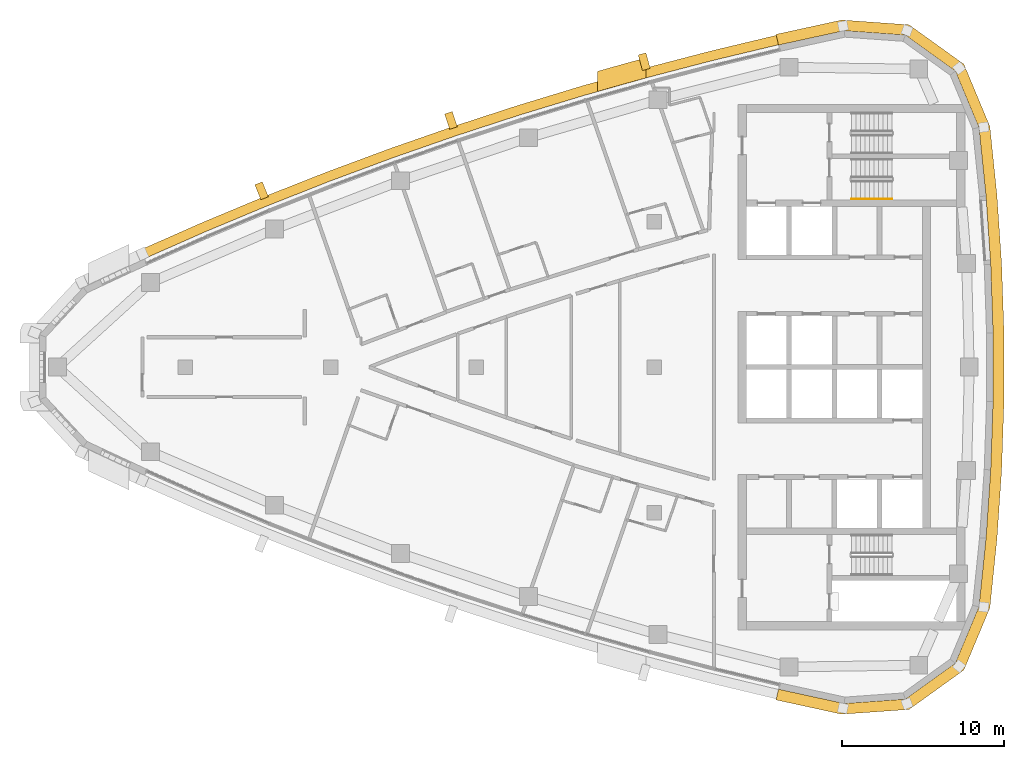
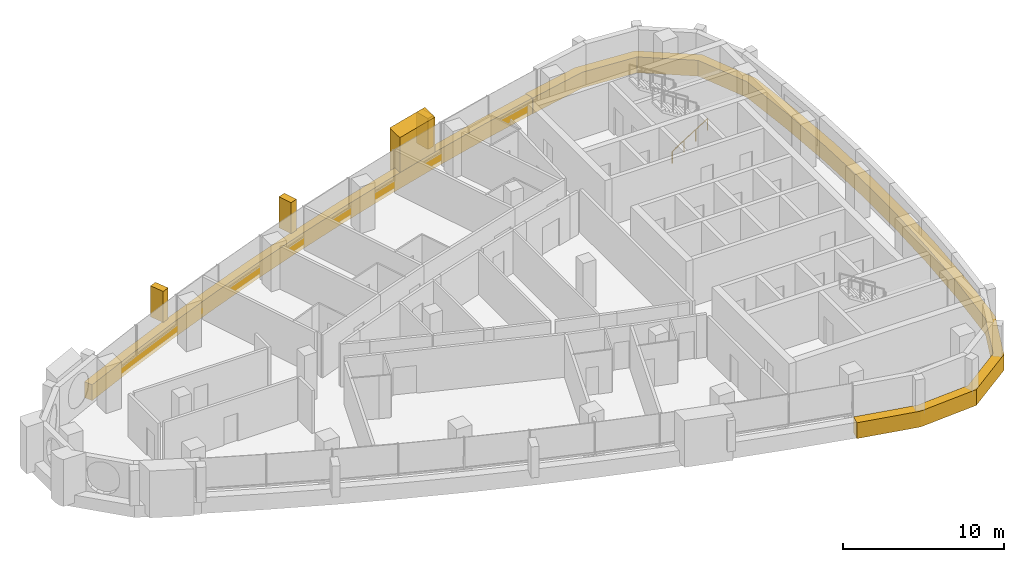
# One storey, part 13 of 14: 6 coverings, 1 railing.
"""IFC4 building model written with IfcOpenShell, lengths in metres."""

from ifc_helpers import new_model, si_unit, direction, frame, frame_2d, origin, origin_2d, place, context, subcontext, project, spatial, polyline, rectangle, circle, outline, extrude, material, layer, layer_set, type_object, element, save


model = new_model("IFC4")

# Units and contexts
model_context = context("Model", 3, precision=1e-05, world=origin(), true_north=direction((0.0, 1.0)))
body_context = subcontext(model_context, "Body", "Model", "MODEL_VIEW")
ifc_project = project(units=[si_unit("LENGTHUNIT", "METRE"), si_unit("AREAUNIT", "SQUARE_METRE"), si_unit("VOLUMEUNIT", "CUBIC_METRE"), si_unit("PLANEANGLEUNIT", "RADIAN"), si_unit("MASSUNIT", "GRAM", prefix="KILO")], contexts=[model_context])

# Site, building, storey
site_placement = place(None, origin())
site = spatial("IfcSite", under=ifc_project, at=site_placement, CompositionType="ELEMENT")
building_placement = place(site_placement, origin())
building = spatial("IfcBuilding", under=site, at=building_placement, Name="Ostrand Prow Hotel Tower", CompositionType="ELEMENT")
storey_placement = place(building_placement, frame((0.0, 0.0, 296.300048828125)))
storey = spatial("IfcBuildingStorey", under=building, at=storey_placement, Name="L75", CompositionType="ELEMENT", Elevation=296.300048828125)

# Coverings
ifc_material_1 = material(Name="Bronze anodised aluminium cladding", Category="aluminium")
ifc_layer_1 = layer(ifc_material_1, 0.60009765625)
ifc_layer_set_1 = layer_set([ifc_layer_1], Name="Bronze anodised aluminium cladding")
covering_type_1 = type_object("IfcCoveringType", Name="Bronze spandrel band 1200x600", PredefinedType="CLADDING", material=ifc_layer_set_1)
covering_1_placement = place(storey_placement, frame((0.0, 0.0, -0.300048828125)))
element("IfcCovering", 1, at=covering_1_placement, inside=storey, type_object=covering_type_1, Name="Spandrel band N1", PredefinedType="CLADDING", context=body_context, shape_type="SweptSolid", body=[
    extrude(outline(polyline([(52.55615234375, 20.52880859375), (48.51220703125, 19.56103515625), (44.48828125, 18.51220703125), (40.486328125, 17.382568359375), (36.508056640625, 16.172607421875), (32.5546875, 14.88330078125), (28.62841796875, 13.514404296875), (24.72998046875, 12.067138671875), (20.86181640625, 10.541748046875), (17.02490234375, 8.938720703125), (13.220947265625, 7.25927734375), (13.468994140625, 6.712890625), (17.26171875, 8.3876953125), (21.08740234375, 9.98583984375), (24.944580078125, 11.5068359375), (28.83154296875, 12.949951171875), (32.74658203125, 14.314697265625), (36.6884765625, 15.6005859375), (40.6552734375, 16.806884765625), (44.6455078125, 17.93310546875), (48.65771484375, 18.97900390625), (52.68994140625, 19.94384765625), (52.55615234375, 20.52880859375)])), origin(), (0.0, 0.0, 1.0), 1.199951171875),
])
covering_2_placement = place(storey_placement, frame((0.0, 0.0, -0.300048828125)))
element("IfcCovering", 2, at=covering_2_placement, inside=storey, type_object=covering_type_1, Name="Spandrel band back 1", PredefinedType="CLADDING", context=body_context, shape_type="SweptSolid", body=[
    extrude(outline(polyline([(52.542236328125, -20.58984375), (56.606201171875, -21.476318359375), (60.771728515625, -21.17919921875), (64.162841796875, -18.741455078125), (65.77197265625, -14.887451171875), (66.2080078125, -10.646240234375), (66.498779296875, -6.392822265625), (66.644287109375, -2.131591796875), (66.644287109375, 2.131591796875), (66.498779296875, 6.392822265625), (66.2080078125, 10.646240234375), (65.77197265625, 14.887451171875), (64.162841796875, 18.741455078125), (60.771728515625, 21.17919921875), (56.606201171875, 21.476318359375), (52.542236328125, 20.58984375), (52.69384765625, 19.927001953125), (56.744384765625, 20.810546875), (60.540283203125, 20.539794921875), (63.630615234375, 18.318359375), (65.0966796875, 14.806396484375), (65.530517578125, 10.58837890625), (65.819580078125, 6.35791015625), (65.964599609375, 2.1201171875), (65.964599609375, -2.1201171875), (65.819580078125, -6.35791015625), (65.530517578125, -10.58837890625), (65.0966796875, -14.806396484375), (63.630615234375, -18.318359375), (60.540283203125, -20.539794921875), (56.744384765625, -20.810546875), (52.69384765625, -19.927001953125), (52.542236328125, -20.58984375)])), origin(), (0.0, 0.0, 1.0), 1.199951171875),
])
ifc_material_2 = material(Name="Limestone cladding", Category="masonry")
ifc_layer_2 = layer(ifc_material_2, 5.0)
ifc_layer_set_2 = layer_set([ifc_layer_2], Name="Limestone cladding")
covering_type_2 = type_object("IfcCoveringType", Name="Portal jamb pilaster limestone", PredefinedType="CLADDING", material=ifc_layer_set_2)
covering_3_placement = place(storey_placement, origin())
element("IfcCovering", 3, at=covering_3_placement, inside=storey, type_object=covering_type_2, Name="Portal jamb NB L75", PredefinedType="CLADDING", context=body_context, shape_type="SweptSolid", body=[
    extrude(outline(polyline([(41.5, 17.052490234375), (42.5, 17.338134765625), (43.5, 17.61865234375), (44.5, 17.8935546875), (44.5, 19.136962890625), (43.5, 18.86376953125), (42.5, 18.585205078125), (41.5, 18.301025390625), (41.5, 17.052490234375)])), origin(), (0.0, 0.0, 1.0), 3.550048828125),
])
ifc_material_3 = material(Name="Limestone cladding", Category="masonry")
ifc_layer_3 = layer(ifc_material_3, 0.5)
ifc_layer_set_3 = layer_set([ifc_layer_3], Name="Limestone cladding")
covering_type_3 = type_object("IfcCoveringType", Name="Precast stone fin 500x900", PredefinedType="CLADDING", material=ifc_layer_set_3)
for number, where, z_axis, x_axis, name in (
    (4, (44.514404296875, 18.41552734375, 0.89990234375), (0.0, 0.0, 1.0), (-0.261960376774, 0.965078629439, 0.0), "Stone fin N 3"),
    (5, (32.5869140625, 14.78857421875, 0.89990234375), (0.0, 0.0, 1.0), (-0.319814258793, 0.947480258302, 0.0), "Stone fin N 6"),
):
    element("IfcCovering", number, at=place(storey_placement, frame(where, z_axis=z_axis, x_axis=x_axis)), inside=storey, type_object=covering_type_3, Name=name, PredefinedType="CLADDING", context=body_context, shape_type="SweptSolid", body=[
        extrude(rectangle(XDim=1.0, YDim=0.5, at=frame_2d((0.5, 0.0))), origin(), (0.0, 0.0, 1.0), 2.35009765625),
    ])
covering_4_placement = place(storey_placement, frame((20.8994140625, 10.44921875, 0.89990234375), z_axis=(0.0, 0.0, 1.0), x_axis=(-0.376311544034, 0.926493184987, 0.0)))
element("IfcCovering", 6, at=covering_4_placement, inside=storey, type_object=covering_type_3, Name="Stone fin N 9", PredefinedType="CLADDING", context=body_context, shape_type="SweptSolid", body=[
    extrude(rectangle(XDim=0.999755859375, YDim=0.5, at=frame_2d((0.5, 0.0))), origin(), (0.0, 0.0, 1.0), 2.35009765625),
])

# Railing
ifc_material_4 = material(Name="Stainless steel", Category="steel")
railing_type = type_object("IfcRailingType", Name="Stair handrail 900", PredefinedType="HANDRAIL", material=ifc_material_4)
railing_placement = place(storey_placement, frame((57.199951171875, 10.39990234375, 0.177490234375)))
element("IfcRailing", 7, at=railing_placement, inside=storey, type_object=railing_type, Name="L75 ST1C stair handrail 1", PredefinedType="HANDRAIL", context=body_context, shape_type="SweptSolid", body=[
    extrude(circle(Radius=0.02392578125, at=origin_2d()), frame((0.0, 0.0, 0.8759765625), z_axis=(0.84460694969, 0.0, 0.535386869969), x_axis=(0.0, 1.0, 0.0)), (0.0, 0.0, 1.0), 2.983642578125),
    extrude(circle(Radius=0.02099609375, at=origin_2d()), origin(), (0.0, 0.0, 1.0), 0.851806640625),
    extrude(circle(Radius=0.02099609375, at=origin_2d()), frame((0.840087890625, 0.0, 0.532470703125)), (0.0, 0.0, 1.0), 0.851806640625),
    extrude(circle(Radius=0.02099609375, at=origin_2d()), frame((1.679931640625, 0.0, 1.06494140625)), (0.0, 0.0, 1.0), 0.851806640625),
    extrude(circle(Radius=0.02099609375, at=origin_2d()), frame((2.52001953125, 0.0, 1.597412109375)), (0.0, 0.0, 1.0), 0.851806640625),
])

save(model, "model.ifc")
